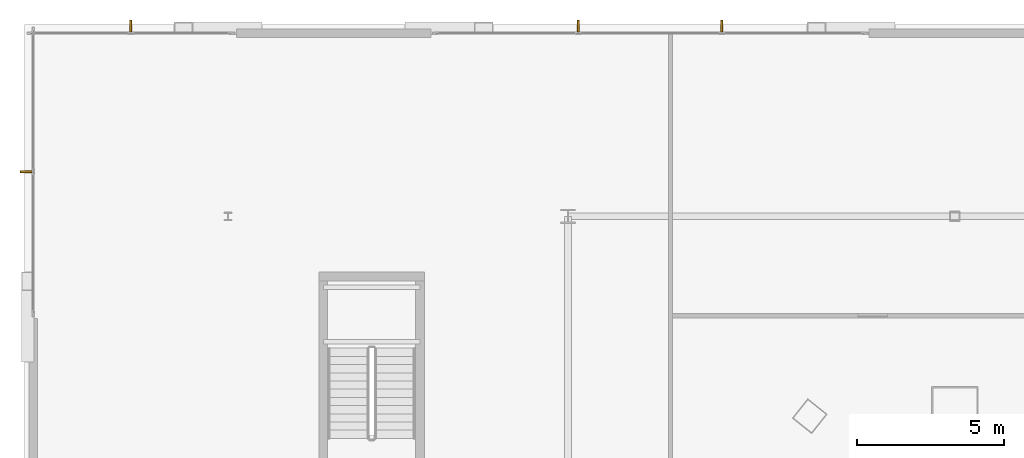
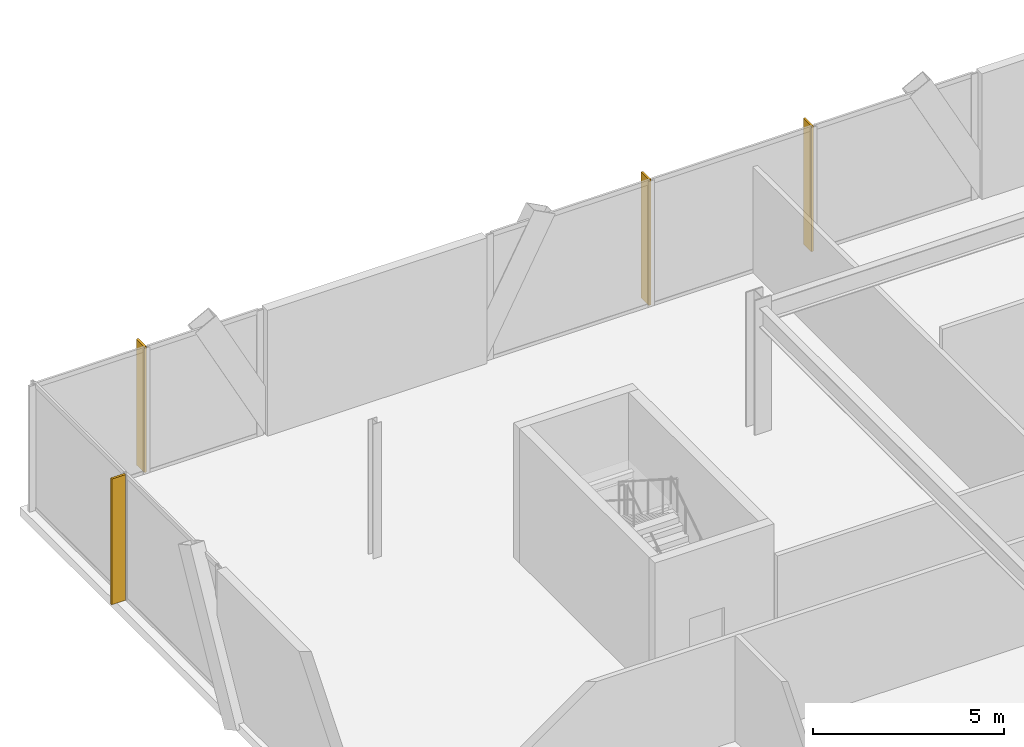
# One storey, part 41 of 42: 4 shading devices.
"""IFC4 building model written with IfcOpenShell, lengths in metres."""

from ifc_helpers import new_model, si_unit, direction, frame, origin, origin_2d, place, context, subcontext, project, spatial, rectangle, extrude, material, layer, layer_set, type_object, element, save


model = new_model("IFC4")

# Units and contexts
model_context = context("Model", 3, precision=1e-05, world=origin(), true_north=direction((0.0, 1.0)))
body_context = subcontext(model_context, "Body", "Model", "MODEL_VIEW")
ifc_project = project(units=[si_unit("LENGTHUNIT", "METRE"), si_unit("AREAUNIT", "SQUARE_METRE"), si_unit("VOLUMEUNIT", "CUBIC_METRE"), si_unit("PLANEANGLEUNIT", "RADIAN"), si_unit("MASSUNIT", "GRAM", prefix="KILO")], contexts=[model_context])

# Site, building, storey
site_placement = place(None, origin())
site = spatial("IfcSite", under=ifc_project, at=site_placement, CompositionType="ELEMENT")
building_placement = place(site_placement, origin())
building = spatial("IfcBuilding", under=site, at=building_placement, Name="Orvanel Arch Residences", CompositionType="ELEMENT")
storey_placement = place(building_placement, frame((0.0, 0.0, 5.5)))
storey = spatial("IfcBuildingStorey", under=building, at=storey_placement, Name="L01", CompositionType="ELEMENT", Elevation=5.5)

# Shading devices
ifc_material = material(Name="Bronze-anodised aluminium AA6063-T6", Category="aluminium")
ifc_layer = layer(ifc_material, 0.06494140625)
ifc_layer_set = layer_set([ifc_layer], Name="Bronze-anodised aluminium AA6063-T6")
shading_device_type = type_object("IfcShadingDeviceType", Name="FIN-BRZ-420", PredefinedType="USERDEFINED", material=ifc_layer_set)
for number, where, z_axis, x_axis, name in (
    (1, (25.052978515625, 54.489013671875, 0.0), (0.0, 0.0, 1.0), (0.0, 1.0, 0.0), "L01 Anodised Bronze Mullion FIN 01"),
    (2, (20.14697265625, 54.489013671875, 0.0), (0.0, 0.0, 1.0), (0.0, 1.0, 0.0), "L01 Anodised Bronze Mullion FIN 02"),
    (3, (4.885009765625, 54.489013671875, 0.0), (0.0, 0.0, 1.0), (0.0, 1.0, 0.0), "L01 Anodised Bronze Mullion FIN 01"),
    (4, (1.31005859375, 49.514892578125, 0.0), (0.0, 0.0, 1.0), (-1.0, 0.0, 0.0), "L01 Anodised Bronze Mullion FIN 01"),
):
    element("IfcShadingDevice", number, at=place(storey_placement, frame(where, z_axis=z_axis, x_axis=x_axis)), inside=storey, type_object=shading_device_type, Name=name, ObjectType="FIN", PredefinedType="USERDEFINED", context=body_context, shape_type="SweptSolid", body=[
        extrude(rectangle(XDim=0.419921875, YDim=0.06494140625, at=origin_2d()), origin(), (0.0, 0.0, 1.0), 4.02001953125),
    ])

save(model, "model.ifc")
